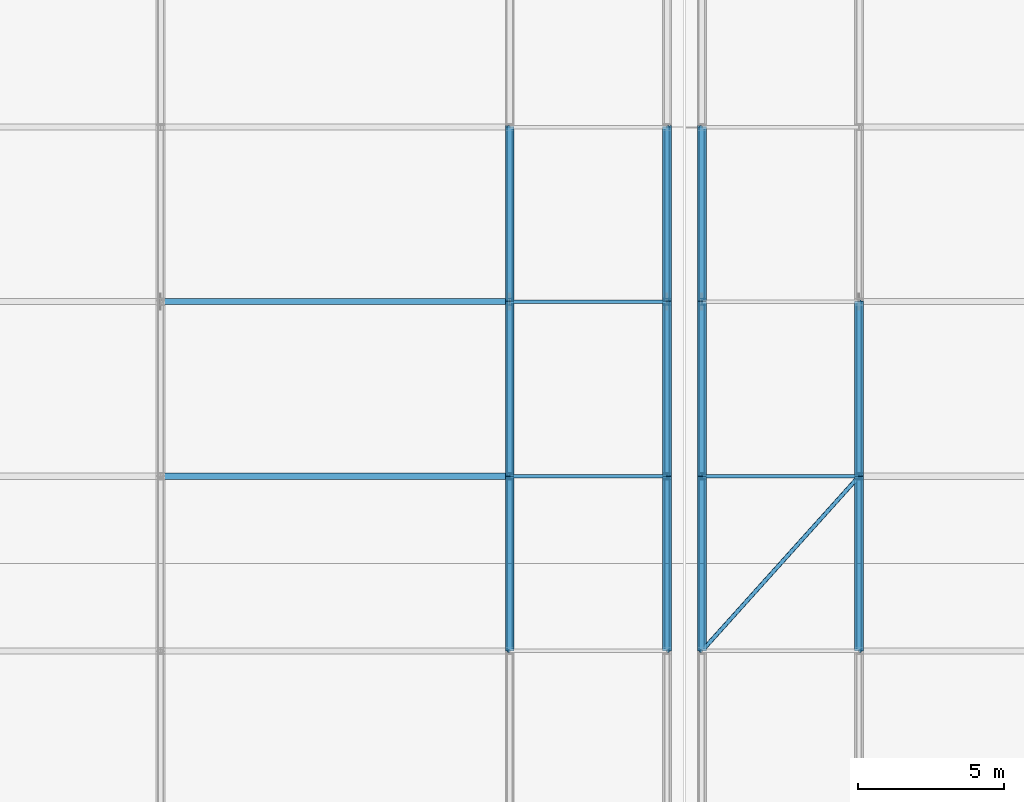
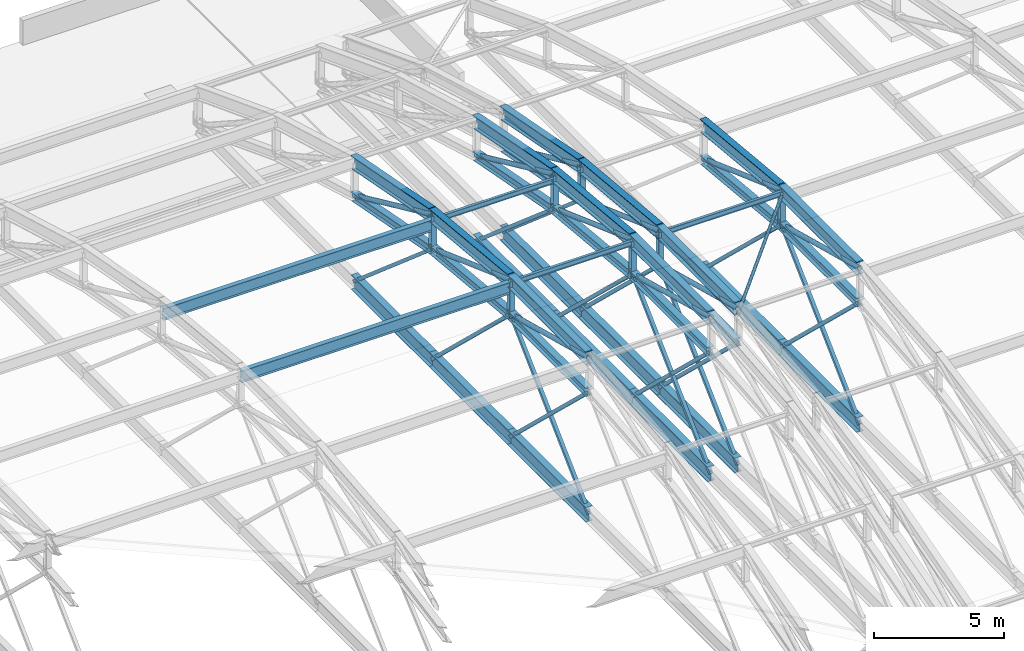
# One storey, part 127 of 204: 72 members.
"""IFC4 building model written with IfcOpenShell, lengths in metres."""

from ifc_helpers import new_model, si_unit, direction, frame, origin, origin_2d, place, context, subcontext, project, spatial, hollow_rectangle, hollow_circle, i_section, extrude, material, material_profile, profile_set, type_object, element, save


model = new_model("IFC4")

# Units and contexts
model_context = context("Model", 3, precision=1e-05, world=origin(), true_north=direction((0.0, 1.0)))
body_context = subcontext(model_context, "Body", "Model", "MODEL_VIEW")
ifc_project = project(units=[si_unit("LENGTHUNIT", "METRE"), si_unit("AREAUNIT", "SQUARE_METRE"), si_unit("VOLUMEUNIT", "CUBIC_METRE"), si_unit("PLANEANGLEUNIT", "RADIAN"), si_unit("MASSUNIT", "GRAM", prefix="KILO")], contexts=[model_context])

# Site, building, storey
site_placement = place(None, origin())
site = spatial("IfcSite", under=ifc_project, at=site_placement, CompositionType="ELEMENT")
building_placement = place(site_placement, origin())
building = spatial("IfcBuilding", under=site, at=building_placement, Name="Zilviju Railside Exhibition Hall", CompositionType="ELEMENT")
storey_placement = place(building_placement, frame((0.0, 0.0, 21.0)))
storey = spatial("IfcBuildingStorey", under=building, at=storey_placement, Name="RF", CompositionType="ELEMENT", Elevation=21.0)

# Members
ifc_material = material(Name="Steel S355J2", Category="steel")
ifc_material_profile_1 = material_profile(ifc_material, hollow_circle(Radius=0.06982421875, WallThickness=0.00634765625, at=origin_2d()), Name="CHS 139.7x6.3")
ifc_profile_set_1 = profile_set([ifc_material_profile_1], Name="Steel S355J2")
member_type_1 = type_object("IfcMemberType", Name="TR-BR-CHS139", PredefinedType="BRACE", material=ifc_profile_set_1)
member_1_placement = place(storey_placement, frame((174.60009765625, 108.0, 3.50341796875), z_axis=(0.668958047626, 0.743300161789, 0.0), x_axis=(-0.743300161789, 0.668958047626, 0.0)))
element("IfcMember", 1, at=member_1_placement, inside=storey, type_object=member_type_1, Name="V2 Roof Wind Brace (174.6..180.0)", PredefinedType="BRACE", context=body_context, shape_type="SweptSolid", body=[
    extrude(hollow_circle(Radius=0.06982421875, WallThickness=0.00634765625, at=origin_2d()), origin(), (0.0, 0.0, 1.0), 8.072021484375),
])
ifc_material_profile_2 = material_profile(ifc_material, hollow_circle(Radius=0.109619140625, WallThickness=0.010009765625, at=origin_2d()), Name="CHS 219.1x10.0")
ifc_profile_set_2 = profile_set([ifc_material_profile_2], Name="Steel S355J2")
member_type_2 = type_object("IfcMemberType", Name="TR-BR-CHS219", PredefinedType="BRACE", material=ifc_profile_set_2)
member_2_placement = place(storey_placement, frame((168.0, 108.0, 3.728515625), z_axis=(0.0, 0.966231024199, -0.25767733287), x_axis=(-1.0, 0.0, 0.0)))
element("IfcMember", 2, at=member_2_placement, inside=storey, type_object=member_type_2, Name="V2 Parabolic Arch Web Diagonal X=168.0 P5", PredefinedType="BRACE", context=body_context, shape_type="SweptSolid", body=[
    extrude(hollow_circle(Radius=0.109619140625, WallThickness=0.010009765625, at=origin_2d()), origin(), (0.0, 0.0, 1.0), 6.209716796875),
])
member_3_placement = place(storey_placement, frame((168.0, 114.0, 3.728515625), z_axis=(0.0, 0.940243888255, -0.340501733621), x_axis=(-1.0, 0.0, 0.0)))
element("IfcMember", 3, at=member_3_placement, inside=storey, type_object=member_type_2, Name="V2 Parabolic Arch Web Diagonal X=168.0 P6", PredefinedType="BRACE", context=body_context, shape_type="SweptSolid", body=[
    extrude(hollow_circle(Radius=0.109619140625, WallThickness=0.010009765625, at=origin_2d()), origin(), (0.0, 0.0, 1.0), 6.38134765625),
])
member_4_placement = place(storey_placement, frame((168.0, 120.0, 3.155517578125), z_axis=(0.0, 0.909316915895, -0.416104249518), x_axis=(-1.0, 0.0, 0.0)))
element("IfcMember", 4, at=member_4_placement, inside=storey, type_object=member_type_2, Name="V2 Parabolic Arch Web Diagonal X=168.0 P7", PredefinedType="BRACE", context=body_context, shape_type="SweptSolid", body=[
    extrude(hollow_circle(Radius=0.109619140625, WallThickness=0.010009765625, at=origin_2d()), origin(), (0.0, 0.0, 1.0), 6.598388671875),
])
member_5_placement = place(storey_placement, frame((173.39990234375, 108.0, 3.728515625), z_axis=(0.0, 0.966231024199, -0.25767733287), x_axis=(-1.0, 0.0, 0.0)))
element("IfcMember", 5, at=member_5_placement, inside=storey, type_object=member_type_2, Name="V2 Parabolic Arch Web Diagonal X=173.4 P5", PredefinedType="BRACE", context=body_context, shape_type="SweptSolid", body=[
    extrude(hollow_circle(Radius=0.109619140625, WallThickness=0.010009765625, at=origin_2d()), origin(), (0.0, 0.0, 1.0), 6.209716796875),
])
member_6_placement = place(storey_placement, frame((173.39990234375, 114.0, 3.728515625), z_axis=(0.0, 0.940243888255, -0.340501733621), x_axis=(-1.0, 0.0, 0.0)))
element("IfcMember", 6, at=member_6_placement, inside=storey, type_object=member_type_2, Name="V2 Parabolic Arch Web Diagonal X=173.4 P6", PredefinedType="BRACE", context=body_context, shape_type="SweptSolid", body=[
    extrude(hollow_circle(Radius=0.109619140625, WallThickness=0.010009765625, at=origin_2d()), origin(), (0.0, 0.0, 1.0), 6.38134765625),
])
member_7_placement = place(storey_placement, frame((173.39990234375, 120.0, 3.155517578125), z_axis=(0.0, 0.909316915895, -0.416104249518), x_axis=(-1.0, 0.0, 0.0)))
element("IfcMember", 7, at=member_7_placement, inside=storey, type_object=member_type_2, Name="V2 Parabolic Arch Web Diagonal X=173.4 P7", PredefinedType="BRACE", context=body_context, shape_type="SweptSolid", body=[
    extrude(hollow_circle(Radius=0.109619140625, WallThickness=0.010009765625, at=origin_2d()), origin(), (0.0, 0.0, 1.0), 6.598388671875),
])
member_8_placement = place(storey_placement, frame((174.60009765625, 108.0, 3.728515625), z_axis=(0.0, 0.966231024199, -0.25767733287), x_axis=(-1.0, 0.0, 0.0)))
element("IfcMember", 8, at=member_8_placement, inside=storey, type_object=member_type_2, Name="V2 Parabolic Arch Web Diagonal X=174.6 P5", PredefinedType="BRACE", context=body_context, shape_type="SweptSolid", body=[
    extrude(hollow_circle(Radius=0.109619140625, WallThickness=0.010009765625, at=origin_2d()), origin(), (0.0, 0.0, 1.0), 6.209716796875),
])
member_9_placement = place(storey_placement, frame((174.60009765625, 114.0, 3.728515625), z_axis=(0.0, 0.940243888255, -0.340501733621), x_axis=(-1.0, 0.0, 0.0)))
element("IfcMember", 9, at=member_9_placement, inside=storey, type_object=member_type_2, Name="V2 Parabolic Arch Web Diagonal X=174.6 P6", PredefinedType="BRACE", context=body_context, shape_type="SweptSolid", body=[
    extrude(hollow_circle(Radius=0.109619140625, WallThickness=0.010009765625, at=origin_2d()), origin(), (0.0, 0.0, 1.0), 6.38134765625),
])
member_10_placement = place(storey_placement, frame((174.60009765625, 120.0, 3.155517578125), z_axis=(0.0, 0.909316915895, -0.416104249518), x_axis=(-1.0, 0.0, 0.0)))
element("IfcMember", 10, at=member_10_placement, inside=storey, type_object=member_type_2, Name="V2 Parabolic Arch Web Diagonal X=174.6 P7", PredefinedType="BRACE", context=body_context, shape_type="SweptSolid", body=[
    extrude(hollow_circle(Radius=0.109619140625, WallThickness=0.010009765625, at=origin_2d()), origin(), (0.0, 0.0, 1.0), 6.598388671875),
])
member_11_placement = place(storey_placement, frame((180.0, 108.0, 3.728515625), z_axis=(0.0, 0.966231024199, -0.25767733287), x_axis=(-1.0, 0.0, 0.0)))
element("IfcMember", 11, at=member_11_placement, inside=storey, type_object=member_type_2, Name="V2 Parabolic Arch Web Diagonal X=180.0 P5", PredefinedType="BRACE", context=body_context, shape_type="SweptSolid", body=[
    extrude(hollow_circle(Radius=0.109619140625, WallThickness=0.010009765625, at=origin_2d()), origin(), (0.0, 0.0, 1.0), 6.209716796875),
])
member_12_placement = place(storey_placement, frame((180.0, 114.0, 3.728515625), z_axis=(0.0, 0.940243888255, -0.340501733621), x_axis=(-1.0, 0.0, 0.0)))
element("IfcMember", 12, at=member_12_placement, inside=storey, type_object=member_type_2, Name="V2 Parabolic Arch Web Diagonal X=180.0 P6", PredefinedType="BRACE", context=body_context, shape_type="SweptSolid", body=[
    extrude(hollow_circle(Radius=0.109619140625, WallThickness=0.010009765625, at=origin_2d()), origin(), (0.0, 0.0, 1.0), 6.38134765625),
])
ifc_material_profile_3 = material_profile(ifc_material, i_section(OverallWidth=0.300048828125, OverallDepth=0.39990234375, WebThickness=0.013427734375, FlangeThickness=0.02392578125, at=origin_2d()), Name="HEB 400")
ifc_profile_set_3 = profile_set([ifc_material_profile_3], Name="Steel S355J2")
member_type_3 = type_object("IfcMemberType", Name="TR-CH-HEB400", PredefinedType="CHORD", material=ifc_profile_set_3)
member_13_placement = place(storey_placement, frame((168.0, 108.0, 2.12841796875), z_axis=(0.0, 1.0, 0.0), x_axis=(-1.0, 0.0, 0.0)))
element("IfcMember", 13, at=member_13_placement, inside=storey, type_object=member_type_3, Name="V2 Parabolic Arch Bottom Chord X=168.0 P5", PredefinedType="CHORD", context=body_context, shape_type="SweptSolid", body=[
    extrude(i_section(OverallWidth=0.300048828125, OverallDepth=0.39990234375, WebThickness=0.013427734375, FlangeThickness=0.02392578125, at=origin_2d()), origin(), (0.0, 0.0, 1.0), 6.0),
])
member_14_placement = place(storey_placement, frame((168.0, 114.0, 2.12841796875), z_axis=(0.0, 0.995474695123, -0.095027003367), x_axis=(-1.0, 0.0, 0.0)))
element("IfcMember", 14, at=member_14_placement, inside=storey, type_object=member_type_3, Name="V2 Parabolic Arch Bottom Chord X=168.0 P6", PredefinedType="CHORD", context=body_context, shape_type="SweptSolid", body=[
    extrude(i_section(OverallWidth=0.300048828125, OverallDepth=0.39990234375, WebThickness=0.013427734375, FlangeThickness=0.02392578125, at=origin_2d()), origin(), (0.0, 0.0, 1.0), 6.02734375),
])
member_15_placement = place(storey_placement, frame((168.0, 120.0, 1.5556640625), z_axis=(0.0, 0.98225135267, -0.187569400964), x_axis=(-1.0, 0.0, 0.0)))
element("IfcMember", 15, at=member_15_placement, inside=storey, type_object=member_type_3, Name="V2 Parabolic Arch Bottom Chord X=168.0 P7", PredefinedType="CHORD", context=body_context, shape_type="SweptSolid", body=[
    extrude(i_section(OverallWidth=0.300048828125, OverallDepth=0.39990234375, WebThickness=0.013427734375, FlangeThickness=0.02392578125, at=origin_2d()), origin(), (0.0, 0.0, 1.0), 6.1083984375),
])
member_16_placement = place(storey_placement, frame((173.39990234375, 108.0, 2.12841796875), z_axis=(0.0, 1.0, 0.0), x_axis=(-1.0, 0.0, 0.0)))
element("IfcMember", 16, at=member_16_placement, inside=storey, type_object=member_type_3, Name="V2 Parabolic Arch Bottom Chord X=173.4 P5", PredefinedType="CHORD", context=body_context, shape_type="SweptSolid", body=[
    extrude(i_section(OverallWidth=0.300048828125, OverallDepth=0.39990234375, WebThickness=0.013427734375, FlangeThickness=0.02392578125, at=origin_2d()), origin(), (0.0, 0.0, 1.0), 6.0),
])
member_17_placement = place(storey_placement, frame((173.39990234375, 114.0, 2.12841796875), z_axis=(0.0, 0.995474695123, -0.095027003367), x_axis=(-1.0, 0.0, 0.0)))
element("IfcMember", 17, at=member_17_placement, inside=storey, type_object=member_type_3, Name="V2 Parabolic Arch Bottom Chord X=173.4 P6", PredefinedType="CHORD", context=body_context, shape_type="SweptSolid", body=[
    extrude(i_section(OverallWidth=0.300048828125, OverallDepth=0.39990234375, WebThickness=0.013427734375, FlangeThickness=0.02392578125, at=origin_2d()), origin(), (0.0, 0.0, 1.0), 6.02734375),
])
member_18_placement = place(storey_placement, frame((173.39990234375, 120.0, 1.5556640625), z_axis=(0.0, 0.98225135267, -0.187569400964), x_axis=(-1.0, 0.0, 0.0)))
element("IfcMember", 18, at=member_18_placement, inside=storey, type_object=member_type_3, Name="V2 Parabolic Arch Bottom Chord X=173.4 P7", PredefinedType="CHORD", context=body_context, shape_type="SweptSolid", body=[
    extrude(i_section(OverallWidth=0.300048828125, OverallDepth=0.39990234375, WebThickness=0.013427734375, FlangeThickness=0.02392578125, at=origin_2d()), origin(), (0.0, 0.0, 1.0), 6.1083984375),
])
member_19_placement = place(storey_placement, frame((174.60009765625, 108.0, 2.12841796875), z_axis=(0.0, 1.0, 0.0), x_axis=(-1.0, 0.0, 0.0)))
element("IfcMember", 19, at=member_19_placement, inside=storey, type_object=member_type_3, Name="V2 Parabolic Arch Bottom Chord X=174.6 P5", PredefinedType="CHORD", context=body_context, shape_type="SweptSolid", body=[
    extrude(i_section(OverallWidth=0.300048828125, OverallDepth=0.39990234375, WebThickness=0.013427734375, FlangeThickness=0.02392578125, at=origin_2d()), origin(), (0.0, 0.0, 1.0), 6.0),
])
member_20_placement = place(storey_placement, frame((174.60009765625, 114.0, 2.12841796875), z_axis=(0.0, 0.995474695123, -0.095027003367), x_axis=(-1.0, 0.0, 0.0)))
element("IfcMember", 20, at=member_20_placement, inside=storey, type_object=member_type_3, Name="V2 Parabolic Arch Bottom Chord X=174.6 P6", PredefinedType="CHORD", context=body_context, shape_type="SweptSolid", body=[
    extrude(i_section(OverallWidth=0.300048828125, OverallDepth=0.39990234375, WebThickness=0.013427734375, FlangeThickness=0.02392578125, at=origin_2d()), origin(), (0.0, 0.0, 1.0), 6.02734375),
])
member_21_placement = place(storey_placement, frame((174.60009765625, 120.0, 1.5556640625), z_axis=(0.0, 0.98225135267, -0.187569400964), x_axis=(-1.0, 0.0, 0.0)))
element("IfcMember", 21, at=member_21_placement, inside=storey, type_object=member_type_3, Name="V2 Parabolic Arch Bottom Chord X=174.6 P7", PredefinedType="CHORD", context=body_context, shape_type="SweptSolid", body=[
    extrude(i_section(OverallWidth=0.300048828125, OverallDepth=0.39990234375, WebThickness=0.013427734375, FlangeThickness=0.02392578125, at=origin_2d()), origin(), (0.0, 0.0, 1.0), 6.1083984375),
])
member_22_placement = place(storey_placement, frame((180.0, 108.0, 2.12841796875), z_axis=(0.0, 1.0, 0.0), x_axis=(-1.0, 0.0, 0.0)))
element("IfcMember", 22, at=member_22_placement, inside=storey, type_object=member_type_3, Name="V2 Parabolic Arch Bottom Chord X=180.0 P5", PredefinedType="CHORD", context=body_context, shape_type="SweptSolid", body=[
    extrude(i_section(OverallWidth=0.300048828125, OverallDepth=0.39990234375, WebThickness=0.013427734375, FlangeThickness=0.02392578125, at=origin_2d()), origin(), (0.0, 0.0, 1.0), 6.0),
])
member_23_placement = place(storey_placement, frame((180.0, 114.0, 2.12841796875), z_axis=(0.0, 0.995474695123, -0.095027003367), x_axis=(-1.0, 0.0, 0.0)))
element("IfcMember", 23, at=member_23_placement, inside=storey, type_object=member_type_3, Name="V2 Parabolic Arch Bottom Chord X=180.0 P6", PredefinedType="CHORD", context=body_context, shape_type="SweptSolid", body=[
    extrude(i_section(OverallWidth=0.300048828125, OverallDepth=0.39990234375, WebThickness=0.013427734375, FlangeThickness=0.02392578125, at=origin_2d()), origin(), (0.0, 0.0, 1.0), 6.02734375),
])
ifc_material_profile_4 = material_profile(ifc_material, i_section(OverallWidth=0.300048828125, OverallDepth=0.60009765625, WebThickness=0.015380859375, FlangeThickness=0.030029296875, at=origin_2d()), Name="HEB 600")
ifc_profile_set_4 = profile_set([ifc_material_profile_4], Name="Steel S355J2")
member_type_4 = type_object("IfcMemberType", Name="TR-CH-HEB600", PredefinedType="CHORD", material=ifc_profile_set_4)
member_24_placement = place(storey_placement, frame((168.0, 108.0, 3.728515625), z_axis=(0.0, 1.0, 0.0), x_axis=(-1.0, 0.0, 0.0)))
element("IfcMember", 24, at=member_24_placement, inside=storey, type_object=member_type_4, Name="V2 Parabolic Arch Top Chord X=168.0 P5", PredefinedType="CHORD", context=body_context, shape_type="SweptSolid", body=[
    extrude(i_section(OverallWidth=0.300048828125, OverallDepth=0.60009765625, WebThickness=0.015380859375, FlangeThickness=0.030029296875, at=origin_2d()), origin(), (0.0, 0.0, 1.0), 6.0),
])
member_25_placement = place(storey_placement, frame((168.0, 114.0, 3.728515625), z_axis=(0.0, 0.995470862587, -0.095067143331), x_axis=(-1.0, 0.0, 0.0)))
element("IfcMember", 25, at=member_25_placement, inside=storey, type_object=member_type_4, Name="V2 Parabolic Arch Top Chord X=168.0 P6", PredefinedType="CHORD", context=body_context, shape_type="SweptSolid", body=[
    extrude(i_section(OverallWidth=0.300048828125, OverallDepth=0.60009765625, WebThickness=0.015380859375, FlangeThickness=0.030029296875, at=origin_2d()), origin(), (0.0, 0.0, 1.0), 6.02734375),
])
member_26_placement = place(storey_placement, frame((168.0, 120.0, 3.155517578125), z_axis=(0.0, 0.98225135267, -0.187569400964), x_axis=(-1.0, 0.0, 0.0)))
element("IfcMember", 26, at=member_26_placement, inside=storey, type_object=member_type_4, Name="V2 Parabolic Arch Top Chord X=168.0 P7", PredefinedType="CHORD", context=body_context, shape_type="SweptSolid", body=[
    extrude(i_section(OverallWidth=0.300048828125, OverallDepth=0.60009765625, WebThickness=0.015380859375, FlangeThickness=0.030029296875, at=origin_2d()), origin(), (0.0, 0.0, 1.0), 6.1083984375),
])
member_27_placement = place(storey_placement, frame((173.39990234375, 108.0, 3.728515625), z_axis=(0.0, 1.0, 0.0), x_axis=(-1.0, 0.0, 0.0)))
element("IfcMember", 27, at=member_27_placement, inside=storey, type_object=member_type_4, Name="V2 Parabolic Arch Top Chord X=173.4 P5", PredefinedType="CHORD", context=body_context, shape_type="SweptSolid", body=[
    extrude(i_section(OverallWidth=0.300048828125, OverallDepth=0.60009765625, WebThickness=0.015380859375, FlangeThickness=0.030029296875, at=origin_2d()), origin(), (0.0, 0.0, 1.0), 6.0),
])
member_28_placement = place(storey_placement, frame((173.39990234375, 114.0, 3.728515625), z_axis=(0.0, 0.995470862587, -0.095067143331), x_axis=(-1.0, 0.0, 0.0)))
element("IfcMember", 28, at=member_28_placement, inside=storey, type_object=member_type_4, Name="V2 Parabolic Arch Top Chord X=173.4 P6", PredefinedType="CHORD", context=body_context, shape_type="SweptSolid", body=[
    extrude(i_section(OverallWidth=0.300048828125, OverallDepth=0.60009765625, WebThickness=0.015380859375, FlangeThickness=0.030029296875, at=origin_2d()), origin(), (0.0, 0.0, 1.0), 6.02734375),
])
member_29_placement = place(storey_placement, frame((173.39990234375, 120.0, 3.155517578125), z_axis=(0.0, 0.98225135267, -0.187569400964), x_axis=(-1.0, 0.0, 0.0)))
element("IfcMember", 29, at=member_29_placement, inside=storey, type_object=member_type_4, Name="V2 Parabolic Arch Top Chord X=173.4 P7", PredefinedType="CHORD", context=body_context, shape_type="SweptSolid", body=[
    extrude(i_section(OverallWidth=0.300048828125, OverallDepth=0.60009765625, WebThickness=0.015380859375, FlangeThickness=0.030029296875, at=origin_2d()), origin(), (0.0, 0.0, 1.0), 6.1083984375),
])
member_30_placement = place(storey_placement, frame((174.60009765625, 108.0, 3.728515625), z_axis=(0.0, 1.0, 0.0), x_axis=(-1.0, 0.0, 0.0)))
element("IfcMember", 30, at=member_30_placement, inside=storey, type_object=member_type_4, Name="V2 Parabolic Arch Top Chord X=174.6 P5", PredefinedType="CHORD", context=body_context, shape_type="SweptSolid", body=[
    extrude(i_section(OverallWidth=0.300048828125, OverallDepth=0.60009765625, WebThickness=0.015380859375, FlangeThickness=0.030029296875, at=origin_2d()), origin(), (0.0, 0.0, 1.0), 6.0),
])
member_31_placement = place(storey_placement, frame((174.60009765625, 114.0, 3.728515625), z_axis=(0.0, 0.995470862587, -0.095067143331), x_axis=(-1.0, 0.0, 0.0)))
element("IfcMember", 31, at=member_31_placement, inside=storey, type_object=member_type_4, Name="V2 Parabolic Arch Top Chord X=174.6 P6", PredefinedType="CHORD", context=body_context, shape_type="SweptSolid", body=[
    extrude(i_section(OverallWidth=0.300048828125, OverallDepth=0.60009765625, WebThickness=0.015380859375, FlangeThickness=0.030029296875, at=origin_2d()), origin(), (0.0, 0.0, 1.0), 6.02734375),
])
member_32_placement = place(storey_placement, frame((174.60009765625, 120.0, 3.155517578125), z_axis=(0.0, 0.98225135267, -0.187569400964), x_axis=(-1.0, 0.0, 0.0)))
element("IfcMember", 32, at=member_32_placement, inside=storey, type_object=member_type_4, Name="V2 Parabolic Arch Top Chord X=174.6 P7", PredefinedType="CHORD", context=body_context, shape_type="SweptSolid", body=[
    extrude(i_section(OverallWidth=0.300048828125, OverallDepth=0.60009765625, WebThickness=0.015380859375, FlangeThickness=0.030029296875, at=origin_2d()), origin(), (0.0, 0.0, 1.0), 6.1083984375),
])
member_33_placement = place(storey_placement, frame((180.0, 108.0, 3.728515625), z_axis=(0.0, 1.0, 0.0), x_axis=(-1.0, 0.0, 0.0)))
element("IfcMember", 33, at=member_33_placement, inside=storey, type_object=member_type_4, Name="V2 Parabolic Arch Top Chord X=180.0 P5", PredefinedType="CHORD", context=body_context, shape_type="SweptSolid", body=[
    extrude(i_section(OverallWidth=0.300048828125, OverallDepth=0.60009765625, WebThickness=0.015380859375, FlangeThickness=0.030029296875, at=origin_2d()), origin(), (0.0, 0.0, 1.0), 6.0),
])
member_34_placement = place(storey_placement, frame((180.0, 114.0, 3.728515625), z_axis=(0.0, 0.995470862587, -0.095067143331), x_axis=(-1.0, 0.0, 0.0)))
element("IfcMember", 34, at=member_34_placement, inside=storey, type_object=member_type_4, Name="V2 Parabolic Arch Top Chord X=180.0 P6", PredefinedType="CHORD", context=body_context, shape_type="SweptSolid", body=[
    extrude(i_section(OverallWidth=0.300048828125, OverallDepth=0.60009765625, WebThickness=0.015380859375, FlangeThickness=0.030029296875, at=origin_2d()), origin(), (0.0, 0.0, 1.0), 6.02734375),
])
ifc_material_profile_5 = material_profile(ifc_material, i_section(OverallWidth=0.239990234375, OverallDepth=0.22998046875, WebThickness=0.007568359375, FlangeThickness=0.011962890625, at=origin_2d()), Name="HEA 240")
ifc_profile_set_5 = profile_set([ifc_material_profile_5], Name="Steel S355J2")
member_type_5 = type_object("IfcMemberType", Name="TR-POST-HEA240", PredefinedType="POST", material=ifc_profile_set_5)
member_35_placement = place(storey_placement, frame((168.0, 114.0, 2.12841796875), z_axis=(0.0, 0.0, 1.0), x_axis=(1.0, 0.0, 0.0)))
element("IfcMember", 35, at=member_35_placement, inside=storey, type_object=member_type_5, Name="V2 Parabolic Arch Web Post X=168.0 N5", PredefinedType="POST", context=body_context, shape_type="SweptSolid", body=[
    extrude(i_section(OverallWidth=0.239990234375, OverallDepth=0.22998046875, WebThickness=0.007568359375, FlangeThickness=0.011962890625, at=origin_2d()), origin(), (0.0, 0.0, 1.0), 1.60009765625),
])
member_36_placement = place(storey_placement, frame((168.0, 120.0, 1.5556640625), z_axis=(0.0, 0.0, 1.0), x_axis=(1.0, 0.0, 0.0)))
element("IfcMember", 36, at=member_36_placement, inside=storey, type_object=member_type_5, Name="V2 Parabolic Arch Web Post X=168.0 N6", PredefinedType="POST", context=body_context, shape_type="SweptSolid", body=[
    extrude(i_section(OverallWidth=0.239990234375, OverallDepth=0.22998046875, WebThickness=0.007568359375, FlangeThickness=0.011962890625, at=origin_2d()), origin(), (0.0, 0.0, 1.0), 1.599853515625),
])
member_37_placement = place(storey_placement, frame((173.39990234375, 114.0, 2.12841796875), z_axis=(0.0, 0.0, 1.0), x_axis=(1.0, 0.0, 0.0)))
element("IfcMember", 37, at=member_37_placement, inside=storey, type_object=member_type_5, Name="V2 Parabolic Arch Web Post X=173.4 N5", PredefinedType="POST", context=body_context, shape_type="SweptSolid", body=[
    extrude(i_section(OverallWidth=0.239990234375, OverallDepth=0.22998046875, WebThickness=0.007568359375, FlangeThickness=0.011962890625, at=origin_2d()), origin(), (0.0, 0.0, 1.0), 1.60009765625),
])
member_38_placement = place(storey_placement, frame((173.39990234375, 120.0, 1.5556640625), z_axis=(0.0, 0.0, 1.0), x_axis=(1.0, 0.0, 0.0)))
element("IfcMember", 38, at=member_38_placement, inside=storey, type_object=member_type_5, Name="V2 Parabolic Arch Web Post X=173.4 N6", PredefinedType="POST", context=body_context, shape_type="SweptSolid", body=[
    extrude(i_section(OverallWidth=0.239990234375, OverallDepth=0.22998046875, WebThickness=0.007568359375, FlangeThickness=0.011962890625, at=origin_2d()), origin(), (0.0, 0.0, 1.0), 1.599853515625),
])
member_39_placement = place(storey_placement, frame((174.60009765625, 114.0, 2.12841796875), z_axis=(0.0, 0.0, 1.0), x_axis=(1.0, 0.0, 0.0)))
element("IfcMember", 39, at=member_39_placement, inside=storey, type_object=member_type_5, Name="V2 Parabolic Arch Web Post X=174.6 N5", PredefinedType="POST", context=body_context, shape_type="SweptSolid", body=[
    extrude(i_section(OverallWidth=0.239990234375, OverallDepth=0.22998046875, WebThickness=0.007568359375, FlangeThickness=0.011962890625, at=origin_2d()), origin(), (0.0, 0.0, 1.0), 1.60009765625),
])
member_40_placement = place(storey_placement, frame((174.60009765625, 120.0, 1.5556640625), z_axis=(0.0, 0.0, 1.0), x_axis=(1.0, 0.0, 0.0)))
element("IfcMember", 40, at=member_40_placement, inside=storey, type_object=member_type_5, Name="V2 Parabolic Arch Web Post X=174.6 N6", PredefinedType="POST", context=body_context, shape_type="SweptSolid", body=[
    extrude(i_section(OverallWidth=0.239990234375, OverallDepth=0.22998046875, WebThickness=0.007568359375, FlangeThickness=0.011962890625, at=origin_2d()), origin(), (0.0, 0.0, 1.0), 1.599853515625),
])
member_41_placement = place(storey_placement, frame((180.0, 114.0, 2.12841796875), z_axis=(0.0, 0.0, 1.0), x_axis=(1.0, 0.0, 0.0)))
element("IfcMember", 41, at=member_41_placement, inside=storey, type_object=member_type_5, Name="V2 Parabolic Arch Web Post X=180.0 N5", PredefinedType="POST", context=body_context, shape_type="SweptSolid", body=[
    extrude(i_section(OverallWidth=0.239990234375, OverallDepth=0.22998046875, WebThickness=0.007568359375, FlangeThickness=0.011962890625, at=origin_2d()), origin(), (0.0, 0.0, 1.0), 1.60009765625),
])
ifc_material_profile_6 = material_profile(ifc_material, hollow_rectangle(XDim=0.14990234375, YDim=0.14990234375, WallThickness=0.008056640625, at=origin_2d()), Name="SHS 150x150x8.0")
ifc_profile_set_6 = profile_set([ifc_material_profile_6], Name="Steel S355J2")
member_type_6 = type_object("IfcMemberType", Name="TR-POST-SHS150", PredefinedType="POST", material=ifc_profile_set_6)
for number, where, z_axis, x_axis, name in (
    (42, (168.0, 108.0, -3.60009765625), (0.0, 0.723280707221, 0.690554138763), (-1.0, 0.0, 0.0), "V2 Arch Tie Hanger X=168.0 N4"),
    (43, (168.0, 114.0, -3.60009765625), (0.0, -0.723280707221, 0.690554138763), (1.0, 0.0, 0.0), "V2 Arch Tie Hanger X=168.0 N5"),
    (44, (168.0, 120.0, -3.60009765625), (0.0, -0.723280707221, 0.690554138763), (1.0, 0.0, 0.0), "V2 Arch Tie Hanger X=168.0 N6"),
):
    element("IfcMember", number, at=place(storey_placement, frame(where, z_axis=z_axis, x_axis=x_axis)), inside=storey, type_object=member_type_6, Name=name, PredefinedType="POST", context=body_context, shape_type="SweptSolid", body=[
        extrude(hollow_rectangle(XDim=0.14990234375, YDim=0.14990234375, WallThickness=0.008056640625, at=origin_2d()), origin(), (0.0, 0.0, 1.0), 8.295654296875),
    ])
member_42_placement = place(storey_placement, frame((168.0, 126.0, -3.60009765625), z_axis=(0.0, -0.758449992634, 0.651731239602), x_axis=(1.0, 0.0, 0.0)))
element("IfcMember", 45, at=member_42_placement, inside=storey, type_object=member_type_6, Name="V2 Arch Tie Hanger X=168.0 N7", PredefinedType="POST", context=body_context, shape_type="SweptSolid", body=[
    extrude(hollow_rectangle(XDim=0.14990234375, YDim=0.14990234375, WallThickness=0.008056640625, at=origin_2d()), origin(), (0.0, 0.0, 1.0), 7.910888671875),
])
for number, where, z_axis, x_axis, name in (
    (46, (173.39990234375, 108.0, -3.60009765625), (0.0, 0.723280707221, 0.690554138763), (-1.0, 0.0, 0.0), "V2 Arch Tie Hanger X=173.4 N4"),
    (47, (173.39990234375, 114.0, -3.60009765625), (0.0, -0.723280707221, 0.690554138763), (1.0, 0.0, 0.0), "V2 Arch Tie Hanger X=173.4 N5"),
    (48, (173.39990234375, 120.0, -3.60009765625), (0.0, -0.723280707221, 0.690554138763), (1.0, 0.0, 0.0), "V2 Arch Tie Hanger X=173.4 N6"),
):
    element("IfcMember", number, at=place(storey_placement, frame(where, z_axis=z_axis, x_axis=x_axis)), inside=storey, type_object=member_type_6, Name=name, PredefinedType="POST", context=body_context, shape_type="SweptSolid", body=[
        extrude(hollow_rectangle(XDim=0.14990234375, YDim=0.14990234375, WallThickness=0.008056640625, at=origin_2d()), origin(), (0.0, 0.0, 1.0), 8.295654296875),
    ])
member_43_placement = place(storey_placement, frame((173.39990234375, 126.0, -3.60009765625), z_axis=(0.0, -0.758449992634, 0.651731239602), x_axis=(1.0, 0.0, 0.0)))
element("IfcMember", 49, at=member_43_placement, inside=storey, type_object=member_type_6, Name="V2 Arch Tie Hanger X=173.4 N7", PredefinedType="POST", context=body_context, shape_type="SweptSolid", body=[
    extrude(hollow_rectangle(XDim=0.14990234375, YDim=0.14990234375, WallThickness=0.008056640625, at=origin_2d()), origin(), (0.0, 0.0, 1.0), 7.910888671875),
])
for number, where, z_axis, x_axis, name in (
    (50, (174.60009765625, 108.0, -3.60009765625), (0.0, 0.723280707221, 0.690554138763), (-1.0, 0.0, 0.0), "V2 Arch Tie Hanger X=174.6 N4"),
    (51, (174.60009765625, 114.0, -3.60009765625), (0.0, -0.723280707221, 0.690554138763), (1.0, 0.0, 0.0), "V2 Arch Tie Hanger X=174.6 N5"),
    (52, (174.60009765625, 120.0, -3.60009765625), (0.0, -0.723280707221, 0.690554138763), (1.0, 0.0, 0.0), "V2 Arch Tie Hanger X=174.6 N6"),
):
    element("IfcMember", number, at=place(storey_placement, frame(where, z_axis=z_axis, x_axis=x_axis)), inside=storey, type_object=member_type_6, Name=name, PredefinedType="POST", context=body_context, shape_type="SweptSolid", body=[
        extrude(hollow_rectangle(XDim=0.14990234375, YDim=0.14990234375, WallThickness=0.008056640625, at=origin_2d()), origin(), (0.0, 0.0, 1.0), 8.295654296875),
    ])
member_44_placement = place(storey_placement, frame((174.60009765625, 126.0, -3.60009765625), z_axis=(0.0, -0.758449992634, 0.651731239602), x_axis=(1.0, 0.0, 0.0)))
element("IfcMember", 53, at=member_44_placement, inside=storey, type_object=member_type_6, Name="V2 Arch Tie Hanger X=174.6 N7", PredefinedType="POST", context=body_context, shape_type="SweptSolid", body=[
    extrude(hollow_rectangle(XDim=0.14990234375, YDim=0.14990234375, WallThickness=0.008056640625, at=origin_2d()), origin(), (0.0, 0.0, 1.0), 7.910888671875),
])
for number, where, z_axis, x_axis, name in (
    (54, (180.0, 108.0, -3.60009765625), (0.0, 0.723280707221, 0.690554138763), (-1.0, 0.0, 0.0), "V2 Arch Tie Hanger X=180.0 N4"),
    (55, (180.0, 114.0, -3.60009765625), (0.0, -0.723280707221, 0.690554138763), (1.0, 0.0, 0.0), "V2 Arch Tie Hanger X=180.0 N5"),
    (56, (180.0, 120.0, -3.60009765625), (0.0, -0.723280707221, 0.690554138763), (1.0, 0.0, 0.0), "V2 Arch Tie Hanger X=180.0 N6"),
):
    element("IfcMember", number, at=place(storey_placement, frame(where, z_axis=z_axis, x_axis=x_axis)), inside=storey, type_object=member_type_6, Name=name, PredefinedType="POST", context=body_context, shape_type="SweptSolid", body=[
        extrude(hollow_rectangle(XDim=0.14990234375, YDim=0.14990234375, WallThickness=0.008056640625, at=origin_2d()), origin(), (0.0, 0.0, 1.0), 8.295654296875),
    ])
ifc_material_profile_7 = material_profile(ifc_material, i_section(OverallWidth=0.1201171875, OverallDepth=0.239990234375, WebThickness=0.006103515625, FlangeThickness=0.009765625, at=origin_2d()), Name="IPE 240")
ifc_profile_set_7 = profile_set([ifc_material_profile_7], Name="Steel S355J2")
member_type_7 = type_object("IfcMemberType", Name="TR-PUR-IPE240", PredefinedType="PURLIN", material=ifc_profile_set_7)
for number, where, z_axis, x_axis, name in (
    (57, (168.0, 114.0, 3.593017578125), (1.0, 0.0, 0.0), (0.0, 1.0, 0.0), "V2 Barrel Vault Roof Purlin Y=114.0 (168.0..173.4)"),
    (58, (168.0, 120.0, 2.877197265625), (1.0, 0.0, 0.0), (0.0, 1.0, 0.0), "V2 Barrel Vault Roof Purlin Y=120.0 (168.0..173.4)"),
    (59, (174.60009765625, 114.0, 3.593017578125), (1.0, 0.0, 0.0), (0.0, 1.0, 0.0), "V2 Barrel Vault Roof Purlin Y=114.0 (174.6..180.0)"),
):
    element("IfcMember", number, at=place(storey_placement, frame(where, z_axis=z_axis, x_axis=x_axis)), inside=storey, type_object=member_type_7, Name=name, PredefinedType="PURLIN", context=body_context, shape_type="SweptSolid", body=[
        extrude(i_section(OverallWidth=0.1201171875, OverallDepth=0.239990234375, WebThickness=0.006103515625, FlangeThickness=0.009765625, at=origin_2d()), origin(), (0.0, 0.0, 1.0), 5.39990234375),
    ])
ifc_material_profile_8 = material_profile(ifc_material, i_section(OverallWidth=0.2099609375, OverallDepth=0.550048828125, WebThickness=0.010986328125, FlangeThickness=0.01708984375, at=origin_2d()), Name="IPE 550")
ifc_profile_set_8 = profile_set([ifc_material_profile_8], Name="Steel S355J2")
member_type_8 = type_object("IfcMemberType", Name="TR-PUR-IPE550", PredefinedType="PURLIN", material=ifc_profile_set_8)
for number, where, z_axis, x_axis, name in (
    (60, (156.0, 114.0, 3.4326171875), (1.0, 0.0, 0.0), (0.0, 1.0, 0.0), "V2 Barrel Vault Roof Purlin Y=114.0 (156.0..168.0)"),
    (61, (156.0, 120.0, 2.716796875), (1.0, 0.0, 0.0), (0.0, 1.0, 0.0), "V2 Barrel Vault Roof Purlin Y=120.0 (156.0..168.0)"),
):
    element("IfcMember", number, at=place(storey_placement, frame(where, z_axis=z_axis, x_axis=x_axis)), inside=storey, type_object=member_type_8, Name=name, PredefinedType="PURLIN", context=body_context, shape_type="SweptSolid", body=[
        extrude(i_section(OverallWidth=0.2099609375, OverallDepth=0.550048828125, WebThickness=0.010986328125, FlangeThickness=0.01708984375, at=origin_2d()), origin(), (0.0, 0.0, 1.0), 12.0),
    ])
ifc_material_profile_9 = material_profile(ifc_material, i_section(OverallWidth=0.300048828125, OverallDepth=0.699951171875, WebThickness=0.01708984375, FlangeThickness=0.031982421875, at=origin_2d()), Name="HEB 700")
ifc_profile_set_9 = profile_set([ifc_material_profile_9], Name="Steel S355J2")
member_type_9 = type_object("IfcMemberType", Name="TR-TIE-HEB700", PredefinedType="CHORD", material=ifc_profile_set_9)
for number, where, z_axis, x_axis, name in (
    (62, (168.0, 108.0, -3.60009765625), (0.0, 1.0, 0.0), (-1.0, 0.0, 0.0), "V2 Arch Tie Member X=168.0"),
    (63, (168.0, 114.0, -3.60009765625), (0.0, 1.0, 0.0), (-1.0, 0.0, 0.0), "V2 Arch Tie Member X=168.0"),
    (64, (168.0, 120.0, -3.60009765625), (0.0, 1.0, 0.0), (-1.0, 0.0, 0.0), "V2 Arch Tie Member X=168.0"),
    (65, (173.39990234375, 108.0, -3.60009765625), (0.0, 1.0, 0.0), (-1.0, 0.0, 0.0), "V2 Arch Tie Member X=173.4"),
    (66, (173.39990234375, 114.0, -3.60009765625), (0.0, 1.0, 0.0), (-1.0, 0.0, 0.0), "V2 Arch Tie Member X=173.4"),
    (67, (173.39990234375, 120.0, -3.60009765625), (0.0, 1.0, 0.0), (-1.0, 0.0, 0.0), "V2 Arch Tie Member X=173.4"),
    (68, (174.60009765625, 108.0, -3.60009765625), (0.0, 1.0, 0.0), (-1.0, 0.0, 0.0), "V2 Arch Tie Member X=174.6"),
    (69, (174.60009765625, 114.0, -3.60009765625), (0.0, 1.0, 0.0), (-1.0, 0.0, 0.0), "V2 Arch Tie Member X=174.6"),
    (70, (174.60009765625, 120.0, -3.60009765625), (0.0, 1.0, 0.0), (-1.0, 0.0, 0.0), "V2 Arch Tie Member X=174.6"),
    (71, (180.0, 108.0, -3.60009765625), (0.0, 1.0, 0.0), (-1.0, 0.0, 0.0), "V2 Arch Tie Member X=180.0"),
    (72, (180.0, 114.0, -3.60009765625), (0.0, 1.0, 0.0), (-1.0, 0.0, 0.0), "V2 Arch Tie Member X=180.0"),
):
    element("IfcMember", number, at=place(storey_placement, frame(where, z_axis=z_axis, x_axis=x_axis)), inside=storey, type_object=member_type_9, Name=name, PredefinedType="CHORD", context=body_context, shape_type="SweptSolid", body=[
        extrude(i_section(OverallWidth=0.300048828125, OverallDepth=0.699951171875, WebThickness=0.01708984375, FlangeThickness=0.031982421875, at=origin_2d()), origin(), (0.0, 0.0, 1.0), 6.0),
    ])

save(model, "model.ifc")
